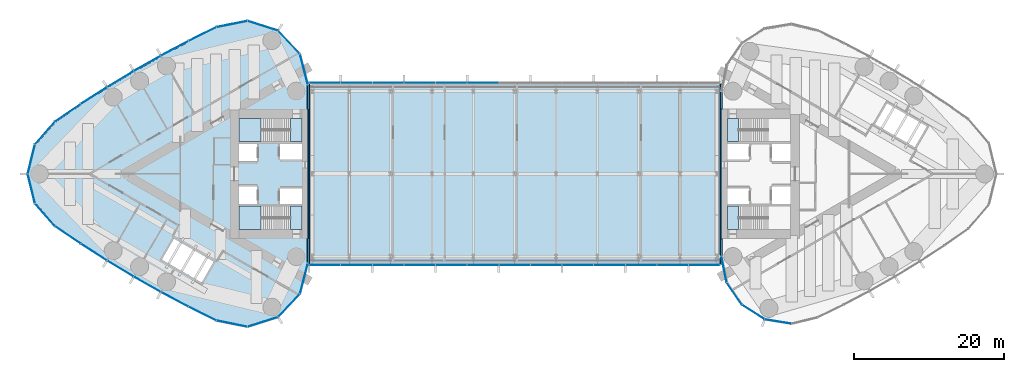
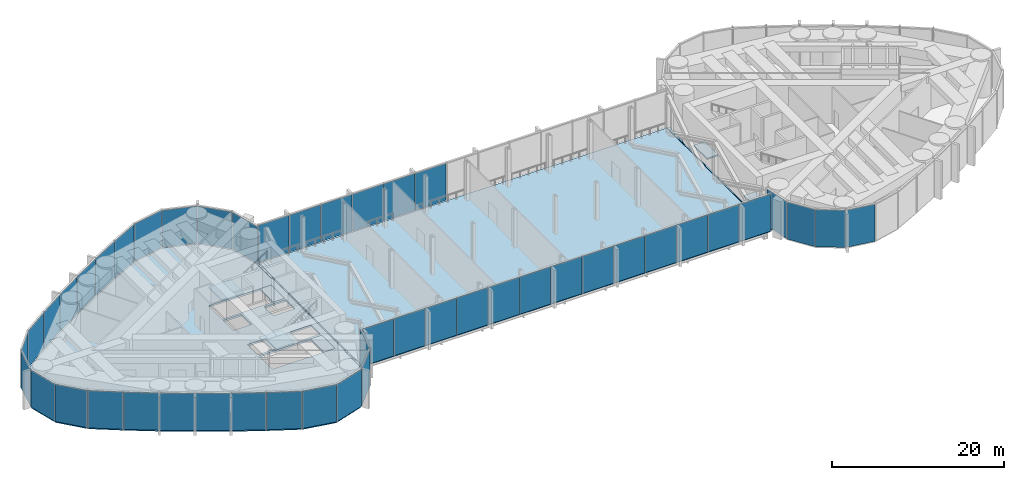
# One storey, part 13 of 21: 49 plates, 8 slabs, 8 elements without a shape of their own.
"""IFC4 building model written with IfcOpenShell, lengths in metres."""

from ifc_helpers import new_model, si_unit, direction, frame, origin, origin_2d, place, context, subcontext, project, spatial, polyline, rectangle, outline, extrude, material, layer, layer_set, type_object, element, aggregate, save


model = new_model("IFC4")

# Units and contexts
model_context = context("Model", 3, precision=1e-05, world=origin(), true_north=direction((0.0, 1.0)))
body_context = subcontext(model_context, "Body", "Model", "MODEL_VIEW")
ifc_project = project(units=[si_unit("LENGTHUNIT", "METRE"), si_unit("AREAUNIT", "SQUARE_METRE"), si_unit("VOLUMEUNIT", "CUBIC_METRE"), si_unit("PLANEANGLEUNIT", "RADIAN"), si_unit("MASSUNIT", "GRAM", prefix="KILO")], contexts=[model_context])

# Site, building, storey
site_placement = place(None, origin())
site = spatial("IfcSite", under=ifc_project, at=site_placement, CompositionType="ELEMENT")
building_placement = place(site_placement, origin())
building = spatial("IfcBuilding", under=site, at=building_placement, Name="Lancet Gate Hotel", CompositionType="ELEMENT")
storey_placement = place(building_placement, frame((0.0, 0.0, 251.89990234375)))
storey = spatial("IfcBuildingStorey", under=building, at=storey_placement, Name="L67", CompositionType="ELEMENT", Elevation=251.89990234375)

# Slabs
ifc_material_1 = material(Name="Concrete C40/50", Category="concrete")
ifc_layer_1 = layer(ifc_material_1, 0.199951171875)
ifc_layer_set_1 = layer_set([ifc_layer_1], Name="Composite floor slab 200")
slab_type_1 = type_object("IfcSlabType", Name="Composite floor slab 200", PredefinedType="FLOOR", material=ifc_layer_set_1)
slab_1_placement = place(storey_placement, frame((0.0, 0.0, -0.199951171875)))
element("IfcSlab", 1, at=slab_1_placement, inside=storey, type_object=slab_type_1, Name="Bridge block L67 floor slab", PredefinedType="FLOOR", context=body_context, shape_type="SweptSolid", body=[
    extrude(outline(polyline([(27.35009765625, -12.0), (27.35009765625, 12.0), (-27.35009765625, 12.0), (-27.35009765625, -12.0), (27.35009765625, -12.0)])), origin(), (0.0, 0.0, 1.0), 0.199951171875),
])
ifc_material_2 = material(Name="Concrete C50/60", Category="concrete")
ifc_layer_2 = layer(ifc_material_2, 0.25)
ifc_layer_set_2 = layer_set([ifc_layer_2], Name="Floor slab 250")
slab_type_2 = type_object("IfcSlabType", Name="Floor slab 250", PredefinedType="FLOOR", material=ifc_layer_set_2)
slab_2_placement = place(storey_placement, frame((0.0, 0.0, -0.25)))
element("IfcSlab", 2, at=slab_2_placement, inside=storey, type_object=slab_type_2, Name="T1 L67 floor slab", PredefinedType="FLOOR", context=body_context, shape_type="SweptSolid", body=[
    extrude(outline(polyline([(-27.5, 8.60009765625), (-27.6201171875, 8.60009765625), (-27.6201171875, 11.84619140625), (-28.668701171875, 15.912353515625), (-31.542236328125, 18.95263671875), (-35.52783203125, 20.22412109375), (-39.645751953125, 19.40673828125), (-43.344482421875, 17.565673828125), (-47.005126953125, 15.618896484375), (-50.61181640625, 13.574462890625), (-54.162353515625, 11.43359375), (-57.654052734375, 9.197998046875), (-61.072998046875, 6.876708984375), (-63.71240234375, 3.871337890625), (-64.66064453125, 0.0), (-63.71240234375, -3.871337890625), (-61.072998046875, -6.876708984375), (-57.654052734375, -9.197998046875), (-54.162353515625, -11.43359375), (-50.61181640625, -13.574462890625), (-47.005126953125, -15.618896484375), (-43.344482421875, -17.565673828125), (-39.645751953125, -19.40673828125), (-35.52783203125, -20.22412109375), (-31.542236328125, -18.95263671875), (-28.668701171875, -15.912353515625), (-27.6201171875, -11.84619140625), (-27.6201171875, -8.60009765625), (-27.5, -8.60009765625), (-27.5, -8.199951171875), (-27.5, 8.199951171875), (-27.5, 8.60009765625)]), holes=[polyline([(-36.699951171875, 7.39990234375), (-36.699951171875, 4.300048828125), (-28.300048828125, 4.300048828125), (-28.300048828125, 7.39990234375), (-36.699951171875, 7.39990234375)]), polyline([(-28.300048828125, 4.0), (-31.199951171875, 4.0), (-31.199951171875, 1.89990234375), (-28.300048828125, 1.89990234375), (-28.300048828125, 4.0)]), polyline([(-34.25, 4.0), (-36.699951171875, 4.0), (-36.699951171875, 1.64990234375), (-34.25, 1.64990234375), (-34.25, 4.0)]), polyline([(-36.699951171875, -1.64990234375), (-36.699951171875, -4.0), (-34.25, -4.0), (-34.25, -1.64990234375), (-36.699951171875, -1.64990234375)]), polyline([(-28.300048828125, -1.89990234375), (-31.199951171875, -1.89990234375), (-31.199951171875, -4.0), (-28.300048828125, -4.0), (-28.300048828125, -1.89990234375)]), polyline([(-28.300048828125, -4.300048828125), (-36.699951171875, -4.300048828125), (-36.699951171875, -7.39990234375), (-28.300048828125, -7.39990234375), (-28.300048828125, -4.300048828125)]), polyline([(-45.319091796875, -8.631103515625), (-46.9189453125, -11.402099609375), (-41.635986328125, -14.451904296875), (-40.035888671875, -11.680908203125), (-45.319091796875, -8.631103515625)])]), origin(), (0.0, 0.0, 1.0), 0.25),
])

# Plates
ifc_material_3 = material(Name="Aluminium chequer plate", Category="aluminium")
ifc_layer_3 = layer(ifc_material_3, 0.014892578125)
ifc_layer_set_3 = layer_set([ifc_layer_3], Name="Movement joint cover plate 15")
plate_type_1 = type_object("IfcPlateType", Name="Movement joint cover plate 15", PredefinedType="SHEET", material=ifc_layer_set_3)
plate_1_placement = place(storey_placement, frame((0.0, 0.0, -0.014892578125)))
element("IfcPlate", 3, at=plate_1_placement, inside=storey, type_object=plate_type_1, Name="Movement joint cover plate T1 L67", PredefinedType="SHEET", context=body_context, shape_type="SweptSolid", body=[
    extrude(outline(polyline([(-27.35009765625, 12.0), (-27.65966796875, 12.0), (-27.6201171875, 11.84619140625), (-27.6201171875, 8.60009765625), (-27.5, 8.60009765625), (-27.5, 8.199951171875), (-27.5, -8.199951171875), (-27.5, -8.60009765625), (-27.6201171875, -8.60009765625), (-27.6201171875, -11.84619140625), (-27.65966796875, -12.0), (-27.35009765625, -12.0), (-27.35009765625, 12.0)])), origin(), (0.0, 0.0, 1.0), 0.014892578125),
])
plate_2_placement = place(storey_placement, frame((0.0, 0.0, -0.014892578125)))
element("IfcPlate", 4, at=plate_2_placement, inside=storey, type_object=plate_type_1, Name="Movement joint cover plate T2 L67", PredefinedType="SHEET", context=body_context, shape_type="SweptSolid", body=[
    extrude(outline(polyline([(27.35009765625, -12.0), (27.836669921875, -12.0), (27.6201171875, -10.93603515625), (27.6201171875, -8.60009765625), (27.5, -8.60009765625), (27.5, -8.199951171875), (27.5, 8.199951171875), (27.5, 8.60009765625), (27.6201171875, 8.60009765625), (27.6201171875, 10.93603515625), (27.836669921875, 12.0), (27.35009765625, 12.0), (27.35009765625, -12.0)])), origin(), (0.0, 0.0, 1.0), 0.014892578125),
])

# Curtain wall, plates
ifc_material_4 = material(Name="Aluminium curtain wall", Category="aluminium")
curtain_wall_type = type_object("IfcCurtainWallType", Name="Sky deck full-height glazing", PredefinedType="USERDEFINED", material=ifc_material_4)
curtain_wall_1_placement = place(storey_placement, origin())
curtain_wall_1 = element("IfcCurtainWall", 5, at=curtain_wall_1_placement, inside=storey, type_object=curtain_wall_type, Name="T1 L67 curtain wall 1", ObjectType="UNITISED CURTAIN WALL", PredefinedType="USERDEFINED")
ifc_material_5 = material(Name="Laminated double glazed unit 10-20-14")
ifc_layer_4 = layer(ifc_material_5, 0.0439453125)
ifc_layer_set_4 = layer_set([ifc_layer_4], Name="Sky deck glass panel")
plate_type_2 = type_object("IfcPlateType", Name="Sky deck glass panel", PredefinedType="CURTAIN_PANEL", material=ifc_layer_set_4)
plate_3_placement = place(storey_placement, frame((-28.030029296875, 13.9169921875, 0.0), z_axis=(0.0, 0.0, 1.0), x_axis=(-0.249725827997, 0.968316586056, 0.0)))
plate_3 = element("IfcPlate", 6, at=plate_3_placement, type_object=plate_type_2, Name="T1 L67 curtain wall 1 panel 1", PredefinedType="CURTAIN_PANEL", context=body_context, shape_type="SweptSolid", body=[
    extrude(rectangle(XDim=4.180419921875, YDim=0.0439453125, at=origin_2d()), origin(), (0.0, 0.0, 1.0), 5.25),
])
plate_4_placement = place(storey_placement, frame((-30.018310546875, 17.514892578125, 0.0), z_axis=(0.0, 0.0, 1.0), x_axis=(-0.686882887577, 0.726768118972, 0.0)))
plate_4 = element("IfcPlate", 7, at=plate_4_placement, type_object=plate_type_2, Name="T1 L67 curtain wall 1 panel 2", PredefinedType="CURTAIN_PANEL", context=body_context, shape_type="SweptSolid", body=[
    extrude(rectangle(XDim=4.180419921875, YDim=0.0439453125, at=origin_2d()), origin(), (0.0, 0.0, 1.0), 5.25),
])
plate_5_placement = place(storey_placement, frame((-33.49853515625, 19.702880859375, 0.0), z_axis=(0.0, 0.0, 1.0), x_axis=(-0.952695666833, 0.303925922549, 0.0)))
plate_5 = element("IfcPlate", 8, at=plate_5_placement, type_object=plate_type_2, Name="T1 L67 curtain wall 1 panel 3", PredefinedType="CURTAIN_PANEL", context=body_context, shape_type="SweptSolid", body=[
    extrude(rectangle(XDim=4.180419921875, YDim=0.0439453125, at=origin_2d()), origin(), (0.0, 0.0, 1.0), 5.25),
])
plate_6_placement = place(storey_placement, frame((-37.602783203125, 19.9345703125, 0.0), z_axis=(0.0, 0.0, 1.0), x_axis=(-0.980856647866, -0.194731189942, 0.0)))
plate_6 = element("IfcPlate", 9, at=plate_6_placement, type_object=plate_type_2, Name="T1 L67 curtain wall 1 panel 4", PredefinedType="CURTAIN_PANEL", context=body_context, shape_type="SweptSolid", body=[
    extrude(rectangle(XDim=4.180419921875, YDim=0.0439453125, at=origin_2d()), origin(), (0.0, 0.0, 1.0), 5.25),
])
plate_7_placement = place(storey_placement, frame((-41.5419921875, 18.5966796875, 0.0), z_axis=(0.0, 0.0, 1.0), x_axis=(-0.895234030262, -0.445596264639, 0.0)))
plate_7 = element("IfcPlate", 10, at=plate_7_placement, type_object=plate_type_2, Name="T1 L67 curtain wall 1 panel 5", PredefinedType="CURTAIN_PANEL", context=body_context, shape_type="SweptSolid", body=[
    extrude(rectangle(XDim=4.084228515625, YDim=0.0439453125, at=origin_2d()), origin(), (0.0, 0.0, 1.0), 5.25),
])
plate_8_placement = place(storey_placement, frame((-45.23095703125, 16.6982421875, 0.0), z_axis=(0.0, 0.0, 1.0), x_axis=(-0.882915941615, -0.469531085277, 0.0)))
plate_8 = element("IfcPlate", 11, at=plate_8_placement, type_object=plate_type_2, Name="T1 L67 curtain wall 1 panel 6", PredefinedType="CURTAIN_PANEL", context=body_context, shape_type="SweptSolid", body=[
    extrude(rectangle(XDim=4.084228515625, YDim=0.0439453125, at=origin_2d()), origin(), (0.0, 0.0, 1.0), 5.25),
])
plate_9_placement = place(storey_placement, frame((-48.86767578125, 14.701171875, 0.0), z_axis=(0.0, 0.0, 1.0), x_axis=(-0.869958082404, -0.493125678565, 0.0)))
plate_9 = element("IfcPlate", 12, at=plate_9_placement, type_object=plate_type_2, Name="T1 L67 curtain wall 1 panel 7", PredefinedType="CURTAIN_PANEL", context=body_context, shape_type="SweptSolid", body=[
    extrude(rectangle(XDim=4.084228515625, YDim=0.0439453125, at=origin_2d()), origin(), (0.0, 0.0, 1.0), 5.25),
])
plate_10_placement = place(storey_placement, frame((-52.44921875, 12.606689453125, 0.0), z_axis=(0.0, 0.0, 1.0), x_axis=(-0.85636984205, -0.516362947574, 0.0)))
plate_10 = element("IfcPlate", 13, at=plate_10_placement, type_object=plate_type_2, Name="T1 L67 curtain wall 1 panel 8", PredefinedType="CURTAIN_PANEL", context=body_context, shape_type="SweptSolid", body=[
    extrude(rectangle(XDim=4.084228515625, YDim=0.0439453125, at=origin_2d()), origin(), (0.0, 0.0, 1.0), 5.25),
])
plate_11_placement = place(storey_placement, frame((-55.972900390625, 10.416748046875, 0.0), z_axis=(0.0, 0.0, 1.0), x_axis=(-0.842161066725, -0.539226054352, 0.0)))
plate_11 = element("IfcPlate", 14, at=plate_11_placement, type_object=plate_type_2, Name="T1 L67 curtain wall 1 panel 9", PredefinedType="CURTAIN_PANEL", context=body_context, shape_type="SweptSolid", body=[
    extrude(rectangle(XDim=4.084228515625, YDim=0.0439453125, at=origin_2d()), origin(), (0.0, 0.0, 1.0), 5.25),
])
plate_12_placement = place(storey_placement, frame((-59.4365234375, 8.1328125, 0.0), z_axis=(0.0, 0.0, 1.0), x_axis=(-0.827342052281, -0.561698432014, 0.0)))
plate_12 = element("IfcPlate", 15, at=plate_12_placement, type_object=plate_type_2, Name="T1 L67 curtain wall 1 panel 10", PredefinedType="CURTAIN_PANEL", context=body_context, shape_type="SweptSolid", body=[
    extrude(rectangle(XDim=4.084228515625, YDim=0.0439453125, at=origin_2d()), origin(), (0.0, 0.0, 1.0), 5.25),
])
plate_13_placement = place(storey_placement, frame((-62.487548828125, 5.447998046875, 0.0), z_axis=(0.0, 0.0, 1.0), x_axis=(-0.659891635916, -0.751360784742, 0.0)))
plate_13 = element("IfcPlate", 16, at=plate_13_placement, type_object=plate_type_2, Name="T1 L67 curtain wall 1 panel 11", PredefinedType="CURTAIN_PANEL", context=body_context, shape_type="SweptSolid", body=[
    extrude(rectangle(XDim=3.979736328125, YDim=0.0439453125, at=origin_2d()), origin(), (0.0, 0.0, 1.0), 5.25),
])
plate_14_placement = place(storey_placement, frame((-64.30322265625, 1.96435546875, 0.0), z_axis=(0.0, 0.0, 1.0), x_axis=(-0.237921018621, -0.971284504612, 0.0)))
plate_14 = element("IfcPlate", 17, at=plate_14_placement, type_object=plate_type_2, Name="T1 L67 curtain wall 1 panel 12", PredefinedType="CURTAIN_PANEL", context=body_context, shape_type="SweptSolid", body=[
    extrude(rectangle(XDim=3.979736328125, YDim=0.0439453125, at=origin_2d()), origin(), (0.0, 0.0, 1.0), 5.25),
])
plate_15_placement = place(storey_placement, frame((-64.30322265625, -1.96435546875, 0.0), z_axis=(0.0, 0.0, 1.0), x_axis=(0.237921018621, -0.971284504612, 0.0)))
plate_15 = element("IfcPlate", 18, at=plate_15_placement, type_object=plate_type_2, Name="T1 L67 curtain wall 1 panel 13", PredefinedType="CURTAIN_PANEL", context=body_context, shape_type="SweptSolid", body=[
    extrude(rectangle(XDim=3.979736328125, YDim=0.0439453125, at=origin_2d()), origin(), (0.0, 0.0, 1.0), 5.25),
])
plate_16_placement = place(storey_placement, frame((-62.487548828125, -5.447998046875, 0.0), z_axis=(0.0, 0.0, 1.0), x_axis=(0.659891635916, -0.751360784742, 0.0)))
plate_16 = element("IfcPlate", 19, at=plate_16_placement, type_object=plate_type_2, Name="T1 L67 curtain wall 1 panel 14", PredefinedType="CURTAIN_PANEL", context=body_context, shape_type="SweptSolid", body=[
    extrude(rectangle(XDim=3.979736328125, YDim=0.0439453125, at=origin_2d()), origin(), (0.0, 0.0, 1.0), 5.25),
])
plate_17_placement = place(storey_placement, frame((-59.4365234375, -8.1328125, 0.0), z_axis=(0.0, 0.0, 1.0), x_axis=(0.827342052281, -0.561698432014, 0.0)))
plate_17 = element("IfcPlate", 20, at=plate_17_placement, type_object=plate_type_2, Name="T1 L67 curtain wall 1 panel 15", PredefinedType="CURTAIN_PANEL", context=body_context, shape_type="SweptSolid", body=[
    extrude(rectangle(XDim=4.084228515625, YDim=0.0439453125, at=origin_2d()), origin(), (0.0, 0.0, 1.0), 5.25),
])
plate_18_placement = place(storey_placement, frame((-55.972900390625, -10.416748046875, 0.0), z_axis=(0.0, 0.0, 1.0), x_axis=(0.842161066725, -0.539226054352, 0.0)))
plate_18 = element("IfcPlate", 21, at=plate_18_placement, type_object=plate_type_2, Name="T1 L67 curtain wall 1 panel 16", PredefinedType="CURTAIN_PANEL", context=body_context, shape_type="SweptSolid", body=[
    extrude(rectangle(XDim=4.084228515625, YDim=0.0439453125, at=origin_2d()), origin(), (0.0, 0.0, 1.0), 5.25),
])
plate_19_placement = place(storey_placement, frame((-52.44921875, -12.606689453125, 0.0), z_axis=(0.0, 0.0, 1.0), x_axis=(0.85636984205, -0.516362947574, 0.0)))
plate_19 = element("IfcPlate", 22, at=plate_19_placement, type_object=plate_type_2, Name="T1 L67 curtain wall 1 panel 17", PredefinedType="CURTAIN_PANEL", context=body_context, shape_type="SweptSolid", body=[
    extrude(rectangle(XDim=4.084228515625, YDim=0.0439453125, at=origin_2d()), origin(), (0.0, 0.0, 1.0), 5.25),
])
plate_20_placement = place(storey_placement, frame((-48.86767578125, -14.701171875, 0.0), z_axis=(0.0, 0.0, 1.0), x_axis=(0.869958082404, -0.493125678565, 0.0)))
plate_20 = element("IfcPlate", 23, at=plate_20_placement, type_object=plate_type_2, Name="T1 L67 curtain wall 1 panel 18", PredefinedType="CURTAIN_PANEL", context=body_context, shape_type="SweptSolid", body=[
    extrude(rectangle(XDim=4.084228515625, YDim=0.0439453125, at=origin_2d()), origin(), (0.0, 0.0, 1.0), 5.25),
])
plate_21_placement = place(storey_placement, frame((-45.23095703125, -16.6982421875, 0.0), z_axis=(0.0, 0.0, 1.0), x_axis=(0.882915941615, -0.469531085277, 0.0)))
plate_21 = element("IfcPlate", 24, at=plate_21_placement, type_object=plate_type_2, Name="T1 L67 curtain wall 1 panel 19", PredefinedType="CURTAIN_PANEL", context=body_context, shape_type="SweptSolid", body=[
    extrude(rectangle(XDim=4.084228515625, YDim=0.0439453125, at=origin_2d()), origin(), (0.0, 0.0, 1.0), 5.25),
])
plate_22_placement = place(storey_placement, frame((-41.5419921875, -18.5966796875, 0.0), z_axis=(0.0, 0.0, 1.0), x_axis=(0.895234030262, -0.445596264639, 0.0)))
plate_22 = element("IfcPlate", 25, at=plate_22_placement, type_object=plate_type_2, Name="T1 L67 curtain wall 1 panel 20", PredefinedType="CURTAIN_PANEL", context=body_context, shape_type="SweptSolid", body=[
    extrude(rectangle(XDim=4.084228515625, YDim=0.0439453125, at=origin_2d()), origin(), (0.0, 0.0, 1.0), 5.25),
])
plate_23_placement = place(storey_placement, frame((-37.602783203125, -19.9345703125, 0.0), z_axis=(0.0, 0.0, 1.0), x_axis=(0.980856647866, -0.194731189942, 0.0)))
plate_23 = element("IfcPlate", 26, at=plate_23_placement, type_object=plate_type_2, Name="T1 L67 curtain wall 1 panel 21", PredefinedType="CURTAIN_PANEL", context=body_context, shape_type="SweptSolid", body=[
    extrude(rectangle(XDim=4.180419921875, YDim=0.0439453125, at=origin_2d()), origin(), (0.0, 0.0, 1.0), 5.25),
])
plate_24_placement = place(storey_placement, frame((-33.49853515625, -19.702880859375, 0.0), z_axis=(0.0, 0.0, 1.0), x_axis=(0.952695666833, 0.303925922549, 0.0)))
plate_24 = element("IfcPlate", 27, at=plate_24_placement, type_object=plate_type_2, Name="T1 L67 curtain wall 1 panel 22", PredefinedType="CURTAIN_PANEL", context=body_context, shape_type="SweptSolid", body=[
    extrude(rectangle(XDim=4.180419921875, YDim=0.0439453125, at=origin_2d()), origin(), (0.0, 0.0, 1.0), 5.25),
])
plate_25_placement = place(storey_placement, frame((-30.018310546875, -17.514892578125, 0.0), z_axis=(0.0, 0.0, 1.0), x_axis=(0.686882887577, 0.726768118972, 0.0)))
plate_25 = element("IfcPlate", 28, at=plate_25_placement, type_object=plate_type_2, Name="T1 L67 curtain wall 1 panel 23", PredefinedType="CURTAIN_PANEL", context=body_context, shape_type="SweptSolid", body=[
    extrude(rectangle(XDim=4.180419921875, YDim=0.0439453125, at=origin_2d()), origin(), (0.0, 0.0, 1.0), 5.25),
])
plate_26_placement = place(storey_placement, frame((-28.030029296875, -13.9169921875, 0.0), z_axis=(0.0, 0.0, 1.0), x_axis=(0.249725827997, 0.968316586056, 0.0)))
plate_26 = element("IfcPlate", 29, at=plate_26_placement, type_object=plate_type_2, Name="T1 L67 curtain wall 1 panel 24", PredefinedType="CURTAIN_PANEL", context=body_context, shape_type="SweptSolid", body=[
    extrude(rectangle(XDim=4.180419921875, YDim=0.0439453125, at=origin_2d()), origin(), (0.0, 0.0, 1.0), 5.25),
])
aggregate(curtain_wall_1, [plate_3, plate_4, plate_5, plate_6, plate_7, plate_8, plate_9, plate_10, plate_11, plate_12, plate_13, plate_14, plate_15, plate_16, plate_17, plate_18, plate_19, plate_20, plate_21, plate_22, plate_23, plate_24, plate_25, plate_26])

curtain_wall_2_placement = place(storey_placement, origin())
curtain_wall_2 = element("IfcCurtainWall", 30, at=curtain_wall_2_placement, inside=storey, type_object=curtain_wall_type, Name="T2 L67 curtain wall 1", ObjectType="UNITISED CURTAIN WALL", PredefinedType="USERDEFINED")
plate_27_placement = place(storey_placement, frame((27.8583984375, -12.707763671875, 0.0), z_axis=(0.0, 0.0, 1.0), x_axis=(0.199533486841, -0.979891008036, 0.0)))
plate_27 = element("IfcPlate", 31, at=plate_27_placement, type_object=plate_type_2, Name="T2 L67 curtain wall 1 panel 1", PredefinedType="CURTAIN_PANEL", context=body_context, shape_type="SweptSolid", body=[
    extrude(rectangle(XDim=3.526611328125, YDim=0.0439453125, at=origin_2d()), origin(), (0.0, 0.0, 1.0), 5.25),
])
plate_28_placement = place(storey_placement, frame((29.234619140625, -15.947021484375, 0.0), z_axis=(0.0, 0.0, 1.0), x_axis=(0.566823864908, -0.823839005007, 0.0)))
plate_28 = element("IfcPlate", 32, at=plate_28_placement, type_object=plate_type_2, Name="T2 L67 curtain wall 1 panel 2", PredefinedType="CURTAIN_PANEL", context=body_context, shape_type="SweptSolid", body=[
    extrude(rectangle(XDim=3.526611328125, YDim=0.0439453125, at=origin_2d()), origin(), (0.0, 0.0, 1.0), 5.25),
])
plate_29_placement = place(storey_placement, frame((31.767822265625, -18.389892578125, 0.0), z_axis=(0.0, 0.0, 1.0), x_axis=(0.843845020422, -0.536586974785, 0.0)))
plate_29 = element("IfcPlate", 33, at=plate_29_placement, type_object=plate_type_2, Name="T2 L67 curtain wall 1 panel 3", PredefinedType="CURTAIN_PANEL", context=body_context, shape_type="SweptSolid", body=[
    extrude(rectangle(XDim=3.526611328125, YDim=0.0439453125, at=origin_2d()), origin(), (0.0, 0.0, 1.0), 5.25),
])
plate_30_placement = place(storey_placement, frame((35.0546875, -19.64794921875, 0.0), z_axis=(0.0, 0.0, 1.0), x_axis=(0.986480101775, -0.163881081283, 0.0)))
plate_30 = element("IfcPlate", 34, at=plate_30_placement, type_object=plate_type_2, Name="T2 L67 curtain wall 1 panel 4", PredefinedType="CURTAIN_PANEL", context=body_context, shape_type="SweptSolid", body=[
    extrude(rectangle(XDim=3.526611328125, YDim=0.0439453125, at=origin_2d()), origin(), (0.0, 0.0, 1.0), 5.25),
])
aggregate(curtain_wall_2, [plate_27, plate_28, plate_29, plate_30])

curtain_wall_3_placement = place(storey_placement, origin())
curtain_wall_3 = element("IfcCurtainWall", 35, at=curtain_wall_3_placement, inside=storey, type_object=curtain_wall_type, Name="Bridge block L67 curtain wall S", ObjectType="UNITISED CURTAIN WALL", PredefinedType="USERDEFINED")
plate_31_placement = place(storey_placement, frame((-25.24609375, -12.1201171875, 0.0), z_axis=(0.0, 0.0, 1.0), x_axis=(1.0, 0.0, 0.0)))
plate_31 = element("IfcPlate", 36, at=plate_31_placement, type_object=plate_type_2, Name="Bridge block L67 curtain wall S panel 1", PredefinedType="CURTAIN_PANEL", context=body_context, shape_type="SweptSolid", body=[
    extrude(rectangle(XDim=4.142578125, YDim=0.0439453125, at=origin_2d()), origin(), (0.0, 0.0, 1.0), 5.25),
])
plate_32_placement = place(storey_placement, frame((-21.03857421875, -12.1201171875, 0.0), z_axis=(0.0, 0.0, 1.0), x_axis=(1.0, 0.0, 0.0)))
plate_32 = element("IfcPlate", 37, at=plate_32_placement, type_object=plate_type_2, Name="Bridge block L67 curtain wall S panel 2", PredefinedType="CURTAIN_PANEL", context=body_context, shape_type="SweptSolid", body=[
    extrude(rectangle(XDim=4.142578125, YDim=0.0439453125, at=origin_2d()), origin(), (0.0, 0.0, 1.0), 5.25),
])
plate_33_placement = place(storey_placement, frame((-16.830810546875, -12.1201171875, 0.0), z_axis=(0.0, 0.0, 1.0), x_axis=(1.0, 0.0, 0.0)))
plate_33 = element("IfcPlate", 38, at=plate_33_placement, type_object=plate_type_2, Name="Bridge block L67 curtain wall S panel 3", PredefinedType="CURTAIN_PANEL", context=body_context, shape_type="SweptSolid", body=[
    extrude(rectangle(XDim=4.142578125, YDim=0.0439453125, at=origin_2d()), origin(), (0.0, 0.0, 1.0), 5.25),
])
plate_34_placement = place(storey_placement, frame((-12.623046875, -12.1201171875, 0.0), z_axis=(0.0, 0.0, 1.0), x_axis=(1.0, 0.0, 0.0)))
plate_34 = element("IfcPlate", 39, at=plate_34_placement, type_object=plate_type_2, Name="Bridge block L67 curtain wall S panel 4", PredefinedType="CURTAIN_PANEL", context=body_context, shape_type="SweptSolid", body=[
    extrude(rectangle(XDim=4.142578125, YDim=0.0439453125, at=origin_2d()), origin(), (0.0, 0.0, 1.0), 5.25),
])
plate_35_placement = place(storey_placement, frame((-8.415283203125, -12.1201171875, 0.0), z_axis=(0.0, 0.0, 1.0), x_axis=(1.0, 0.0, 0.0)))
plate_35 = element("IfcPlate", 40, at=plate_35_placement, type_object=plate_type_2, Name="Bridge block L67 curtain wall S panel 5", PredefinedType="CURTAIN_PANEL", context=body_context, shape_type="SweptSolid", body=[
    extrude(rectangle(XDim=4.142578125, YDim=0.0439453125, at=origin_2d()), origin(), (0.0, 0.0, 1.0), 5.25),
])
plate_36_placement = place(storey_placement, frame((-4.207763671875, -12.1201171875, 0.0), z_axis=(0.0, 0.0, 1.0), x_axis=(1.0, 0.0, 0.0)))
plate_36 = element("IfcPlate", 41, at=plate_36_placement, type_object=plate_type_2, Name="Bridge block L67 curtain wall S panel 6", PredefinedType="CURTAIN_PANEL", context=body_context, shape_type="SweptSolid", body=[
    extrude(rectangle(XDim=4.142578125, YDim=0.0439453125, at=origin_2d()), origin(), (0.0, 0.0, 1.0), 5.25),
])
plate_37_placement = place(storey_placement, frame((0.0, -12.1201171875, 0.0), z_axis=(0.0, 0.0, 1.0), x_axis=(1.0, 0.0, 0.0)))
plate_37 = element("IfcPlate", 42, at=plate_37_placement, type_object=plate_type_2, Name="Bridge block L67 curtain wall S panel 7", PredefinedType="CURTAIN_PANEL", context=body_context, shape_type="SweptSolid", body=[
    extrude(rectangle(XDim=4.142578125, YDim=0.0439453125, at=origin_2d()), origin(), (0.0, 0.0, 1.0), 5.25),
])
plate_38_placement = place(storey_placement, frame((4.207763671875, -12.1201171875, 0.0), z_axis=(0.0, 0.0, 1.0), x_axis=(1.0, 0.0, 0.0)))
plate_38 = element("IfcPlate", 43, at=plate_38_placement, type_object=plate_type_2, Name="Bridge block L67 curtain wall S panel 8", PredefinedType="CURTAIN_PANEL", context=body_context, shape_type="SweptSolid", body=[
    extrude(rectangle(XDim=4.142578125, YDim=0.0439453125, at=origin_2d()), origin(), (0.0, 0.0, 1.0), 5.25),
])
plate_39_placement = place(storey_placement, frame((8.415283203125, -12.1201171875, 0.0), z_axis=(0.0, 0.0, 1.0), x_axis=(1.0, 0.0, 0.0)))
plate_39 = element("IfcPlate", 44, at=plate_39_placement, type_object=plate_type_2, Name="Bridge block L67 curtain wall S panel 9", PredefinedType="CURTAIN_PANEL", context=body_context, shape_type="SweptSolid", body=[
    extrude(rectangle(XDim=4.142578125, YDim=0.0439453125, at=origin_2d()), origin(), (0.0, 0.0, 1.0), 5.25),
])
plate_40_placement = place(storey_placement, frame((12.623046875, -12.1201171875, 0.0), z_axis=(0.0, 0.0, 1.0), x_axis=(1.0, 0.0, 0.0)))
plate_40 = element("IfcPlate", 45, at=plate_40_placement, type_object=plate_type_2, Name="Bridge block L67 curtain wall S panel 10", PredefinedType="CURTAIN_PANEL", context=body_context, shape_type="SweptSolid", body=[
    extrude(rectangle(XDim=4.142578125, YDim=0.0439453125, at=origin_2d()), origin(), (0.0, 0.0, 1.0), 5.25),
])
plate_41_placement = place(storey_placement, frame((16.830810546875, -12.1201171875, 0.0), z_axis=(0.0, 0.0, 1.0), x_axis=(1.0, 0.0, 0.0)))
plate_41 = element("IfcPlate", 46, at=plate_41_placement, type_object=plate_type_2, Name="Bridge block L67 curtain wall S panel 11", PredefinedType="CURTAIN_PANEL", context=body_context, shape_type="SweptSolid", body=[
    extrude(rectangle(XDim=4.142578125, YDim=0.0439453125, at=origin_2d()), origin(), (0.0, 0.0, 1.0), 5.25),
])
plate_42_placement = place(storey_placement, frame((21.03857421875, -12.1201171875, 0.0), z_axis=(0.0, 0.0, 1.0), x_axis=(1.0, 0.0, 0.0)))
plate_42 = element("IfcPlate", 47, at=plate_42_placement, type_object=plate_type_2, Name="Bridge block L67 curtain wall S panel 12", PredefinedType="CURTAIN_PANEL", context=body_context, shape_type="SweptSolid", body=[
    extrude(rectangle(XDim=4.142578125, YDim=0.0439453125, at=origin_2d()), origin(), (0.0, 0.0, 1.0), 5.25),
])
plate_43_placement = place(storey_placement, frame((25.24609375, -12.1201171875, 0.0), z_axis=(0.0, 0.0, 1.0), x_axis=(1.0, 0.0, 0.0)))
plate_43 = element("IfcPlate", 48, at=plate_43_placement, type_object=plate_type_2, Name="Bridge block L67 curtain wall S panel 13", PredefinedType="CURTAIN_PANEL", context=body_context, shape_type="SweptSolid", body=[
    extrude(rectangle(XDim=4.142578125, YDim=0.0439453125, at=origin_2d()), origin(), (0.0, 0.0, 1.0), 5.25),
])
aggregate(curtain_wall_3, [plate_31, plate_32, plate_33, plate_34, plate_35, plate_36, plate_37, plate_38, plate_39, plate_40, plate_41, plate_42, plate_43])

curtain_wall_4_placement = place(storey_placement, origin())
curtain_wall_4 = element("IfcCurtainWall", 49, at=curtain_wall_4_placement, inside=storey, type_object=curtain_wall_type, Name="Bridge block L67 curtain wall N", ObjectType="UNITISED CURTAIN WALL", PredefinedType="USERDEFINED")
plate_44_placement = place(storey_placement, frame((-4.207763671875, 12.1201171875, 0.0), z_axis=(0.0, 0.0, 1.0), x_axis=(-1.0, 0.0, 0.0)))
plate_44 = element("IfcPlate", 50, at=plate_44_placement, type_object=plate_type_2, Name="Bridge block L67 curtain wall N panel 8", PredefinedType="CURTAIN_PANEL", context=body_context, shape_type="SweptSolid", body=[
    extrude(rectangle(XDim=4.142578125, YDim=0.0439453125, at=origin_2d()), origin(), (0.0, 0.0, 1.0), 5.25),
])
plate_45_placement = place(storey_placement, frame((-8.415283203125, 12.1201171875, 0.0), z_axis=(0.0, 0.0, 1.0), x_axis=(-1.0, 0.0, 0.0)))
plate_45 = element("IfcPlate", 51, at=plate_45_placement, type_object=plate_type_2, Name="Bridge block L67 curtain wall N panel 9", PredefinedType="CURTAIN_PANEL", context=body_context, shape_type="SweptSolid", body=[
    extrude(rectangle(XDim=4.142578125, YDim=0.0439453125, at=origin_2d()), origin(), (0.0, 0.0, 1.0), 5.25),
])
plate_46_placement = place(storey_placement, frame((-12.623046875, 12.1201171875, 0.0), z_axis=(0.0, 0.0, 1.0), x_axis=(-1.0, 0.0, 0.0)))
plate_46 = element("IfcPlate", 52, at=plate_46_placement, type_object=plate_type_2, Name="Bridge block L67 curtain wall N panel 10", PredefinedType="CURTAIN_PANEL", context=body_context, shape_type="SweptSolid", body=[
    extrude(rectangle(XDim=4.142578125, YDim=0.0439453125, at=origin_2d()), origin(), (0.0, 0.0, 1.0), 5.25),
])
plate_47_placement = place(storey_placement, frame((-16.830810546875, 12.1201171875, 0.0), z_axis=(0.0, 0.0, 1.0), x_axis=(-1.0, 0.0, 0.0)))
plate_47 = element("IfcPlate", 53, at=plate_47_placement, type_object=plate_type_2, Name="Bridge block L67 curtain wall N panel 11", PredefinedType="CURTAIN_PANEL", context=body_context, shape_type="SweptSolid", body=[
    extrude(rectangle(XDim=4.142578125, YDim=0.0439453125, at=origin_2d()), origin(), (0.0, 0.0, 1.0), 5.25),
])
plate_48_placement = place(storey_placement, frame((-21.03857421875, 12.1201171875, 0.0), z_axis=(0.0, 0.0, 1.0), x_axis=(-1.0, 0.0, 0.0)))
plate_48 = element("IfcPlate", 54, at=plate_48_placement, type_object=plate_type_2, Name="Bridge block L67 curtain wall N panel 12", PredefinedType="CURTAIN_PANEL", context=body_context, shape_type="SweptSolid", body=[
    extrude(rectangle(XDim=4.142578125, YDim=0.0439453125, at=origin_2d()), origin(), (0.0, 0.0, 1.0), 5.25),
])
plate_49_placement = place(storey_placement, frame((-25.24609375, 12.1201171875, 0.0), z_axis=(0.0, 0.0, 1.0), x_axis=(-1.0, 0.0, 0.0)))
plate_49 = element("IfcPlate", 55, at=plate_49_placement, type_object=plate_type_2, Name="Bridge block L67 curtain wall N panel 13", PredefinedType="CURTAIN_PANEL", context=body_context, shape_type="SweptSolid", body=[
    extrude(rectangle(XDim=4.142578125, YDim=0.0439453125, at=origin_2d()), origin(), (0.0, 0.0, 1.0), 5.25),
])
aggregate(curtain_wall_4, [plate_44, plate_45, plate_46, plate_47, plate_48, plate_49])

# Stair, slabs
ifc_material_6 = material(Name="Exit stair 30 risers 1500")
stair_type = type_object("IfcStairType", Name="Exit stair 30 risers 1500", PredefinedType="HALF_TURN_STAIR", material=ifc_material_6)
stair_1_placement = place(storey_placement, origin())
stair_1 = element("IfcStair", 56, at=stair_1_placement, inside=storey, type_object=stair_type, Name="T1 stair 1 L67", PredefinedType="HALF_TURN_STAIR")
ifc_material_7 = material(Name="Concrete C40/50", Category="concrete")
ifc_layer_5 = layer(ifc_material_7, 0.199951171875)
ifc_layer_set_5 = layer_set([ifc_layer_5], Name="Stair landing 200")
slab_type_3 = type_object("IfcSlabType", Name="Stair landing 200", PredefinedType="LANDING", material=ifc_layer_set_5)
slab_3_placement = place(storey_placement, frame((0.0, 0.0, -0.199951171875)))
slab_3 = element("IfcSlab", 57, at=slab_3_placement, type_object=slab_type_3, Name="ST1 landing 1", PredefinedType="LANDING", context=body_context, shape_type="SweptSolid", body=[
    extrude(outline(polyline([(-28.300048828125, 7.39990234375), (-29.800048828125, 7.39990234375), (-29.800048828125, 4.300048828125), (-28.300048828125, 4.300048828125), (-28.300048828125, 7.39990234375)])), origin(), (0.0, 0.0, 1.0), 0.199951171875),
])
slab_4_placement = place(storey_placement, frame((0.0, 0.0, 2.5)))
slab_4 = element("IfcSlab", 58, at=slab_4_placement, type_object=slab_type_3, Name="ST1 landing 2", PredefinedType="LANDING", context=body_context, shape_type="SweptSolid", body=[
    extrude(outline(polyline([(-33.719970703125, 7.39990234375), (-36.699951171875, 7.39990234375), (-36.699951171875, 4.300048828125), (-33.719970703125, 4.300048828125), (-33.719970703125, 7.39990234375)])), origin(), (0.0, 0.0, 1.0), 0.2001953125),
])
aggregate(stair_1, [slab_3, slab_4])

stair_2_placement = place(storey_placement, origin())
stair_2 = element("IfcStair", 59, at=stair_2_placement, inside=storey, type_object=stair_type, Name="T1 stair 2 L67", PredefinedType="HALF_TURN_STAIR")
slab_5_placement = place(storey_placement, frame((0.0, 0.0, -0.199951171875)))
slab_5 = element("IfcSlab", 60, at=slab_5_placement, type_object=slab_type_3, Name="ST2 landing 1", PredefinedType="LANDING", context=body_context, shape_type="SweptSolid", body=[
    extrude(outline(polyline([(-28.300048828125, -4.300048828125), (-29.800048828125, -4.300048828125), (-29.800048828125, -7.39990234375), (-28.300048828125, -7.39990234375), (-28.300048828125, -4.300048828125)])), origin(), (0.0, 0.0, 1.0), 0.199951171875),
])
slab_6_placement = place(storey_placement, frame((0.0, 0.0, 2.5)))
slab_6 = element("IfcSlab", 61, at=slab_6_placement, type_object=slab_type_3, Name="ST2 landing 2", PredefinedType="LANDING", context=body_context, shape_type="SweptSolid", body=[
    extrude(outline(polyline([(-33.719970703125, -4.300048828125), (-36.699951171875, -4.300048828125), (-36.699951171875, -7.39990234375), (-33.719970703125, -7.39990234375), (-33.719970703125, -4.300048828125)])), origin(), (0.0, 0.0, 1.0), 0.2001953125),
])
aggregate(stair_2, [slab_5, slab_6])

# Stair, slab
stair_3_placement = place(storey_placement, origin())
stair_3 = element("IfcStair", 62, at=stair_3_placement, inside=storey, type_object=stair_type, Name="T2 stair 1 L67", PredefinedType="HALF_TURN_STAIR")
slab_7_placement = place(storey_placement, frame((0.0, 0.0, -0.199951171875)))
slab_7 = element("IfcSlab", 63, at=slab_7_placement, type_object=slab_type_3, Name="ST3 landing 1", PredefinedType="LANDING", context=body_context, shape_type="SweptSolid", body=[
    extrude(outline(polyline([(28.300048828125, -7.39990234375), (29.800048828125, -7.39990234375), (29.800048828125, -4.300048828125), (28.300048828125, -4.300048828125), (28.300048828125, -7.39990234375)])), origin(), (0.0, 0.0, 1.0), 0.199951171875),
])
aggregate(stair_3, [slab_7])

stair_4_placement = place(storey_placement, origin())
stair_4 = element("IfcStair", 64, at=stair_4_placement, inside=storey, type_object=stair_type, Name="T2 stair 2 L67", PredefinedType="HALF_TURN_STAIR")
slab_8_placement = place(storey_placement, frame((0.0, 0.0, -0.199951171875)))
slab_8 = element("IfcSlab", 65, at=slab_8_placement, type_object=slab_type_3, Name="ST4 landing 1", PredefinedType="LANDING", context=body_context, shape_type="SweptSolid", body=[
    extrude(outline(polyline([(28.300048828125, 4.300048828125), (29.800048828125, 4.300048828125), (29.800048828125, 7.39990234375), (28.300048828125, 7.39990234375), (28.300048828125, 4.300048828125)])), origin(), (0.0, 0.0, 1.0), 0.199951171875),
])
aggregate(stair_4, [slab_8])

save(model, "model.ifc")
